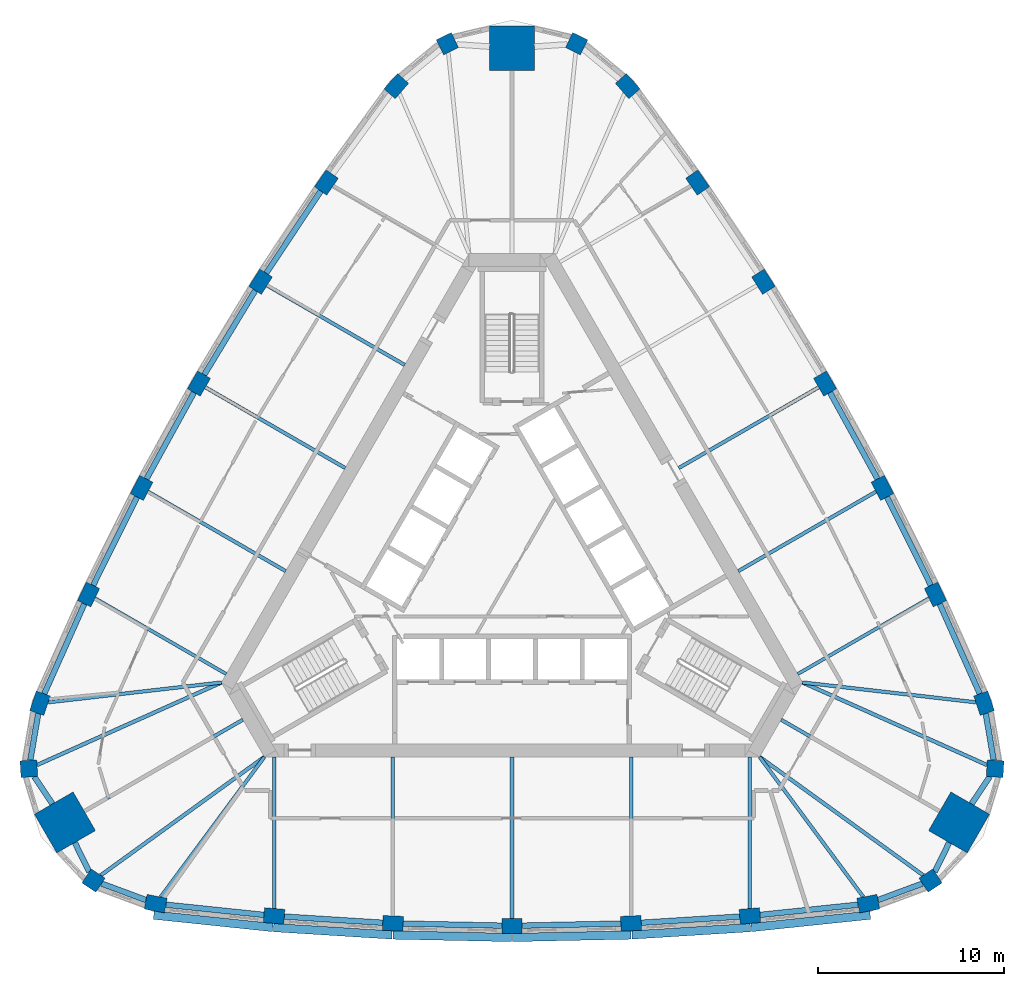
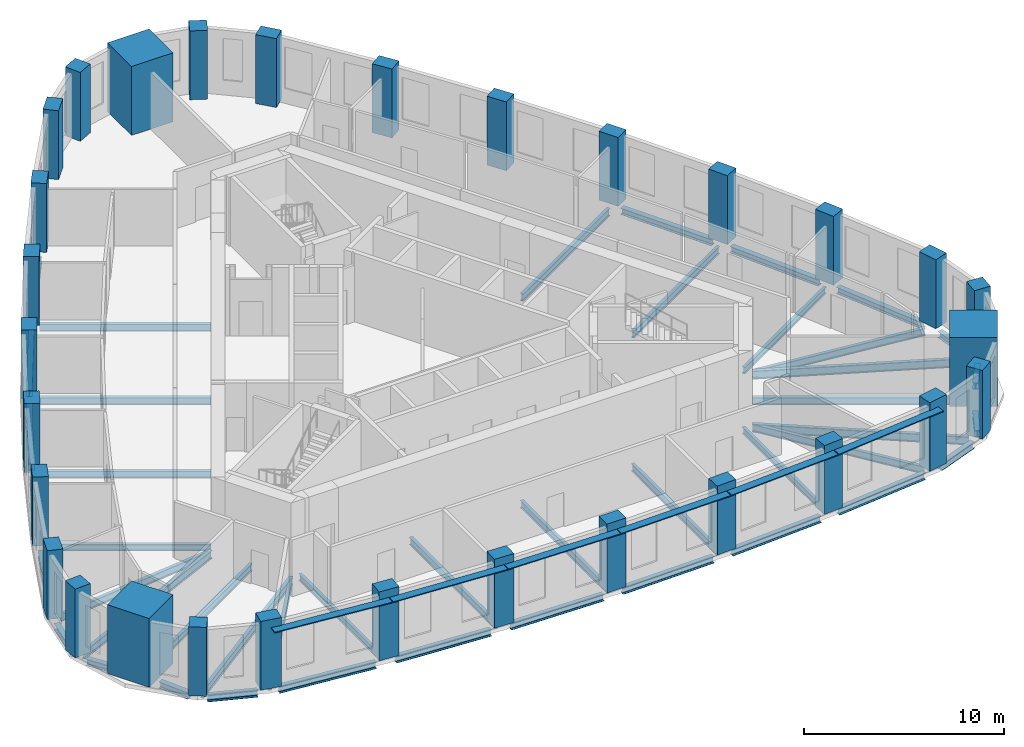
# One storey, part 1 of 11: 44 beams, 30 columns, 6 members.
"""IFC4 building model written with IfcOpenShell, lengths in metres."""

from ifc_helpers import new_model, si_unit, direction, frame, origin, origin_2d, place, context, subcontext, project, spatial, rectangle, i_section, extrude, material, material_profile, profile_set, type_object, element, save


model = new_model("IFC4")

# Units and contexts
model_context = context("Model", 3, precision=1e-05, world=origin(), true_north=direction((0.0, 1.0)))
body_context = subcontext(model_context, "Body", "Model", "MODEL_VIEW")
ifc_project = project(units=[si_unit("LENGTHUNIT", "METRE"), si_unit("AREAUNIT", "SQUARE_METRE"), si_unit("VOLUMEUNIT", "CUBIC_METRE"), si_unit("PLANEANGLEUNIT", "RADIAN"), si_unit("MASSUNIT", "GRAM", prefix="KILO")], contexts=[model_context])

# Site, building, storey
site_placement = place(None, origin())
site = spatial("IfcSite", under=ifc_project, at=site_placement, CompositionType="ELEMENT")
building_placement = place(site_placement, origin())
building = spatial("IfcBuilding", under=site, at=building_placement, Name="Mestral Congress Tower", CompositionType="ELEMENT")
storey_placement = place(building_placement, frame((0.0, 0.0, 205.800048828125)))
storey = spatial("IfcBuildingStorey", under=building, at=storey_placement, Name="L48", CompositionType="ELEMENT", Elevation=205.800048828125)

# Columns
ifc_material_1 = material(Name="Concrete C60/75", Category="concrete")
ifc_material_profile_1 = material_profile(ifc_material_1, rectangle(XDim=1.10009765625, YDim=0.800048828125, at=origin_2d()), Name="RC 1100x800")
ifc_profile_set_1 = profile_set([ifc_material_profile_1], Name="Concrete C60/75")
column_type_1 = type_object("IfcColumnType", Name="Column RC 1100x800 C60/75", PredefinedType="COLUMN", material=ifc_profile_set_1)
for number, where, z_axis, x_axis, name in (
    (1, (-19.150390625, -18.23681640625, 0.0), (0.0, 0.0, 1.0), (0.981324571854, -0.192359259395, 0.0), "COL-L48-C4-S00"),
    (2, (-12.785400390625, -18.899658203125, 0.0), (0.0, 0.0, 1.0), (0.996556680667, -0.082914306473, 0.0), "COL-L48-C4-S01"),
    (3, (-6.398193359375, -19.2978515625, 0.0), (0.0, 0.0, 1.0), (0.999138835542, -0.041492015025, 0.0), "COL-L48-C4-S02"),
    (4, (0.0, -19.4306640625, 0.0), (0.0, 0.0, 1.0), (1.0, 0.0, 0.0), "COL-L48-C4-S03"),
    (5, (6.398193359375, -19.2978515625, 0.0), (0.0, 0.0, 1.0), (0.999138835542, 0.041492015025, 0.0), "COL-L48-C4-S04"),
    (6, (12.785400390625, -18.899658203125, 0.0), (0.0, 0.0, 1.0), (0.996556680667, 0.082914306473, 0.0), "COL-L48-C4-S05"),
    (7, (19.150390625, -18.23681640625, 0.0), (0.0, 0.0, 1.0), (0.981324571854, 0.192359259395, 0.0), "COL-L48-C4-S06"),
    (8, (25.368896484375, -7.46630859375, 0.0), (0.0, 0.0, 1.0), (-0.324074280638, 0.946031638281, 0.0), "COL-L48-C4-E00"),
    (9, (22.76025390625, -1.62255859375, 0.0), (0.0, 0.0, 1.0), (-0.426472444591, 0.904500555005, 0.0), "COL-L48-C4-E01"),
    (10, (19.91162109375, 4.10791015625, 0.0), (0.0, 0.0, 1.0), (-0.463636278705, 0.886025621, 0.0), "COL-L48-C4-E02"),
    (11, (16.827392578125, 9.71533203125, 0.0), (0.0, 0.0, 1.0), (-0.5, 0.866025403784, 0.0), "COL-L48-C4-E03"),
    (12, (13.51318359375, 15.18994140625, 0.0), (0.0, 0.0, 1.0), (-0.535502556837, 0.844533605975, 0.0), "COL-L48-C4-E04"),
    (13, (9.974853515625, 20.522216796875, 0.0), (0.0, 0.0, 1.0), (-0.570084236076, 0.821586248532, 0.0), "COL-L48-C4-E05"),
    (14, (6.218505859375, 25.703125, 0.0), (0.0, 0.0, 1.0), (-0.657250291216, 0.753672378886, 0.0), "COL-L48-C4-E06"),
    (15, (-6.218505859375, 25.703125, 0.0), (0.0, 0.0, 1.0), (-0.657250291216, -0.753672378886, 0.0), "COL-L48-C4-W00"),
    (16, (-9.974853515625, 20.522216796875, 0.0), (0.0, 0.0, 1.0), (-0.570084236076, -0.821586248532, 0.0), "COL-L48-C4-W01"),
    (17, (-13.51318359375, 15.18994140625, 0.0), (0.0, 0.0, 1.0), (-0.535502556837, -0.844533605975, 0.0), "COL-L48-C4-W02"),
    (18, (-16.827392578125, 9.71533203125, 0.0), (0.0, 0.0, 1.0), (-0.5, -0.866025403784, 0.0), "COL-L48-C4-W03"),
    (19, (-19.91162109375, 4.10791015625, 0.0), (0.0, 0.0, 1.0), (-0.463636278705, -0.886025621, 0.0), "COL-L48-C4-W04"),
    (20, (-22.76025390625, -1.62255859375, 0.0), (0.0, 0.0, 1.0), (-0.426472444591, -0.904500555005, 0.0), "COL-L48-C4-W05"),
    (21, (-25.368896484375, -7.46630859375, 0.0), (0.0, 0.0, 1.0), (-0.324074280638, -0.946031638281, 0.0), "COL-L48-C4-W06"),
):
    element("IfcColumn", number, at=place(storey_placement, frame(where, z_axis=z_axis, x_axis=x_axis)), inside=storey, type_object=column_type_1, Name=name, PredefinedType="COLUMN", context=body_context, shape_type="SweptSolid", body=[
        extrude(rectangle(XDim=1.10009765625, YDim=0.800048828125, at=origin_2d()), origin(), (0.0, 0.0, 1.0), 4.199951171875),
    ])
ifc_material_profile_2 = material_profile(ifc_material_1, rectangle(XDim=0.89990234375, YDim=0.89990234375, at=origin_2d()), Name="RC 900x900")
ifc_profile_set_2 = profile_set([ifc_material_profile_2], Name="Concrete C60/75")
column_type_2 = type_object("IfcColumnType", Name="Column RC 900x900 C60/75", PredefinedType="COLUMN", material=ifc_profile_set_2)
for number, where, z_axis, x_axis, name in (
    (22, (22.494384765625, -16.99658203125, 0.0), (0.0, 0.0, 1.0), (0.833238868178, 0.552913183563, 0.0), "COL-L48-C4-SE1"),
    (23, (25.966552734375, -10.982421875, 0.0), (0.0, 0.0, 1.0), (0.062217428964, 0.998062619044, 0.0), "COL-L48-C4-SE3"),
    (24, (3.47216796875, 27.97900390625, 0.0), (0.0, 0.0, 1.0), (-0.895456297142, 0.445149435481, 0.0), "COL-L48-C4-N1"),
    (25, (-3.47216796875, 27.97900390625, 0.0), (0.0, 0.0, 1.0), (-0.895456297142, -0.445149435481, 0.0), "COL-L48-C4-N3"),
    (26, (-25.966552734375, -10.982421875, 0.0), (0.0, 0.0, 1.0), (0.062217428964, -0.998062619044, 0.0), "COL-L48-C4-SW1"),
    (27, (-22.494384765625, -16.99658203125, 0.0), (0.0, 0.0, 1.0), (0.833238868178, -0.552913183563, 0.0), "COL-L48-C4-SW3"),
):
    element("IfcColumn", number, at=place(storey_placement, frame(where, z_axis=z_axis, x_axis=x_axis)), inside=storey, type_object=column_type_2, Name=name, PredefinedType="COLUMN", context=body_context, shape_type="SweptSolid", body=[
        extrude(rectangle(XDim=0.89990234375, YDim=0.89990234375, at=origin_2d()), origin(), (0.0, 0.0, 1.0), 4.199951171875),
    ])
ifc_material_2 = material(Name="Concrete C70/85", Category="concrete")
ifc_material_profile_3 = material_profile(ifc_material_2, rectangle(XDim=2.39990234375, YDim=2.39990234375, at=origin_2d()), Name="RC 2400x2400")
ifc_profile_set_3 = profile_set([ifc_material_profile_3], Name="Concrete C70/85")
column_type_3 = type_object("IfcColumnType", Name="Mega column RC 2400x2400 C70/85", PredefinedType="COLUMN", material=ifc_profile_set_3)
for number, where, z_axis, x_axis, name in (
    (28, (24.02734375, -13.872314453125, 0.0), (0.0, 0.0, 1.0), (0.866025403784, -0.5, 0.0), "COL-L48-PY4-SE"),
    (29, (0.0, 27.744384765625, 0.0), (0.0, 0.0, 1.0), (0.0, 1.0, 0.0), "COL-L48-PY4-N"),
    (30, (-24.02734375, -13.872314453125, 0.0), (0.0, 0.0, 1.0), (-0.866025403784, -0.5, 0.0), "COL-L48-PY4-SW"),
):
    element("IfcColumn", number, at=place(storey_placement, frame(where, z_axis=z_axis, x_axis=x_axis)), inside=storey, type_object=column_type_3, Name=name, PredefinedType="COLUMN", context=body_context, shape_type="SweptSolid", body=[
        extrude(rectangle(XDim=2.39990234375, YDim=2.39990234375, at=origin_2d()), origin(), (0.0, 0.0, 1.0), 4.199951171875),
    ])

# Members
ifc_material_3 = material(Name="Glazed ceramic", Category="masonry")
ifc_material_profile_4 = material_profile(ifc_material_3, rectangle(XDim=0.449951171875, YDim=0.06005859375, at=origin_2d()), Name="Ceramic blade 450 x 60")
ifc_profile_set_4 = profile_set([ifc_material_profile_4], Name="Glazed ceramic")
member_type = type_object("IfcMemberType", Name="Facade sunshade blade 450 x 60", PredefinedType="USERDEFINED", material=ifc_profile_set_4)
member_1_placement = place(storey_placement, frame((-19.251708984375, -18.8544921875, 3.679931640625), z_axis=(0.994617919471, -0.103610782581, 0.0), x_axis=(0.103610782581, 0.994617919471, 0.0)))
element("IfcMember", 31, at=member_1_placement, inside=storey, type_object=member_type, Name="Sunshade F0-00", ObjectType="SUNSHADE", PredefinedType="USERDEFINED", context=body_context, shape_type="SweptSolid", body=[
    extrude(rectangle(XDim=0.449951171875, YDim=0.06005859375, at=origin_2d()), origin(), (0.0, 0.0, 1.0), 6.42578125),
])
member_2_placement = place(storey_placement, frame((-12.8134765625, -19.524169921875, 3.679931640625), z_axis=(0.99806373271, -0.062199561482, 0.0), x_axis=(0.062199561482, 0.99806373271, 0.0)))
element("IfcMember", 32, at=member_2_placement, inside=storey, type_object=member_type, Name="Sunshade F0-01", ObjectType="SUNSHADE", PredefinedType="USERDEFINED", context=body_context, shape_type="SweptSolid", body=[
    extrude(rectangle(XDim=0.449951171875, YDim=0.06005859375, at=origin_2d()), origin(), (0.0, 0.0, 1.0), 6.37841796875),
])
for number, where, z_axis, x_axis, name in (
    (33, (-6.400390625, -19.9228515625, 3.679931640625), (0.99978476383, -0.0207467109, 0.0), (0.0207467109, 0.99978476383, 0.0), "Sunshade F0-02"),
    (34, (0.023681640625, -20.05517578125, 3.679931640625), (0.99978476383, 0.0207467109, 0.0), (-0.0207467109, 0.99978476383, 0.0), "Sunshade F0-03"),
):
    element("IfcMember", number, at=place(storey_placement, frame(where, z_axis=z_axis, x_axis=x_axis)), inside=storey, type_object=member_type, Name=name, ObjectType="SUNSHADE", PredefinedType="USERDEFINED", context=body_context, shape_type="SweptSolid", body=[
        extrude(rectangle(XDim=0.449951171875, YDim=0.06005859375, at=origin_2d()), origin(), (0.0, 0.0, 1.0), 6.378173828125),
    ])
member_3_placement = place(storey_placement, frame((6.447509765625, -19.9208984375, 3.679931640625), z_axis=(0.99806373271, 0.062199561482, 0.0), x_axis=(-0.062199561482, 0.99806373271, 0.0)))
element("IfcMember", 35, at=member_3_placement, inside=storey, type_object=member_type, Name="Sunshade F0-04", ObjectType="SUNSHADE", PredefinedType="USERDEFINED", context=body_context, shape_type="SweptSolid", body=[
    extrude(rectangle(XDim=0.449951171875, YDim=0.06005859375, at=origin_2d()), origin(), (0.0, 0.0, 1.0), 6.37841796875),
])
member_4_placement = place(storey_placement, frame((12.860595703125, -19.520263671875, 3.679931640625), z_axis=(0.994617919471, 0.103610782581, 0.0), x_axis=(-0.103610782581, 0.994617919471, 0.0)))
element("IfcMember", 36, at=member_4_placement, inside=storey, type_object=member_type, Name="Sunshade F0-05", ObjectType="SUNSHADE", PredefinedType="USERDEFINED", context=body_context, shape_type="SweptSolid", body=[
    extrude(rectangle(XDim=0.449951171875, YDim=0.06005859375, at=origin_2d()), origin(), (0.0, 0.0, 1.0), 6.42578125),
])

# Beams
ifc_material_4 = material(Name="Steel S355", Category="steel")
ifc_material_profile_5 = material_profile(ifc_material_4, i_section(OverallWidth=0.179931640625, OverallDepth=0.39990234375, WebThickness=0.008544921875, FlangeThickness=0.013427734375, FilletRadius=0.02099609375, at=origin_2d()), Name="IPE 400")
ifc_profile_set_5 = profile_set([ifc_material_profile_5], Name="Steel S355")
beam_type_1 = type_object("IfcBeamType", Name="Floor beam IPE 400 S355", PredefinedType="BEAM", material=ifc_profile_set_5)
for number, where, z_axis, x_axis, name in (
    (37, (-12.785400390625, -18.498291015625, -0.449951171875), (0.0, 1.0, 0.0), (-1.0, 0.0, 0.0), "BM-L48-RB4-S01"),
    (38, (12.785400390625, -18.498291015625, -0.449951171875), (0.0, 1.0, 0.0), (-1.0, 0.0, 0.0), "BM-L48-RB4-S05"),
):
    element("IfcBeam", number, at=place(storey_placement, frame(where, z_axis=z_axis, x_axis=x_axis)), inside=storey, type_object=beam_type_1, Name=name, PredefinedType="BEAM", context=body_context, shape_type="SweptSolid", body=[
        extrude(i_section(OverallWidth=0.179931640625, OverallDepth=0.39990234375, WebThickness=0.008544921875, FlangeThickness=0.013427734375, FilletRadius=0.02099609375, at=origin_2d()), origin(), (0.0, 0.0, 1.0), 8.148193359375),
    ])
for number, where, z_axis, x_axis, name in (
    (39, (22.41259765625, -1.8232421875, -0.449951171875), (-0.866021929094, -0.500006018292, 0.0), (0.500006018292, -0.866021929094, 0.0), "BM-L48-RB4-E01"),
    (40, (-22.41259765625, -1.8232421875, -0.449951171875), (0.866021929094, -0.500006018292, 0.0), (0.500006018292, 0.866021929094, 0.0), "BM-L48-RB4-W05"),
):
    element("IfcBeam", number, at=place(storey_placement, frame(where, z_axis=z_axis, x_axis=x_axis)), inside=storey, type_object=beam_type_1, Name=name, PredefinedType="BEAM", context=body_context, shape_type="SweptSolid", body=[
        extrude(i_section(OverallWidth=0.179931640625, OverallDepth=0.39990234375, WebThickness=0.008544921875, FlangeThickness=0.013427734375, FilletRadius=0.02099609375, at=origin_2d()), origin(), (0.0, 0.0, 1.0), 8.1484375),
    ])
ifc_material_profile_6 = material_profile(ifc_material_4, i_section(OverallWidth=0.18994140625, OverallDepth=0.449951171875, WebThickness=0.009521484375, FlangeThickness=0.0146484375, FilletRadius=0.02099609375, at=origin_2d()), Name="IPE 450")
ifc_profile_set_6 = profile_set([ifc_material_profile_6], Name="Steel S355")
beam_type_2 = type_object("IfcBeamType", Name="Floor beam IPE 450 S355", PredefinedType="BEAM", material=ifc_profile_set_6)
beam_1_placement = place(storey_placement, frame((-18.88671875, -17.880859375, -0.47509765625), z_axis=(0.595263059859, 0.803530888994, 0.0), x_axis=(-0.803530888994, 0.595263059859, 0.0)))
element("IfcBeam", 41, at=beam_1_placement, inside=storey, type_object=beam_type_2, Name="BM-L48-RB4-S00", PredefinedType="BEAM", context=body_context, shape_type="SweptSolid", body=[
    extrude(i_section(OverallWidth=0.18994140625, OverallDepth=0.449951171875, WebThickness=0.009521484375, FlangeThickness=0.0146484375, FilletRadius=0.02099609375, at=origin_2d()), origin(), (0.0, 0.0, 1.0), 9.3720703125),
])
beam_2_placement = place(storey_placement, frame((-6.398193359375, -18.8974609375, -0.47509765625), z_axis=(0.0, 1.0, 0.0), x_axis=(-1.0, 0.0, 0.0)))
element("IfcBeam", 42, at=beam_2_placement, inside=storey, type_object=beam_type_2, Name="BM-L48-RB4-S02", PredefinedType="BEAM", context=body_context, shape_type="SweptSolid", body=[
    extrude(i_section(OverallWidth=0.18994140625, OverallDepth=0.449951171875, WebThickness=0.009521484375, FlangeThickness=0.0146484375, FilletRadius=0.02099609375, at=origin_2d()), origin(), (0.0, 0.0, 1.0), 8.54736328125),
])
beam_3_placement = place(storey_placement, frame((0.0, -19.030517578125, -0.47509765625), z_axis=(0.0, 1.0, 0.0), x_axis=(-1.0, 0.0, 0.0)))
element("IfcBeam", 43, at=beam_3_placement, inside=storey, type_object=beam_type_2, Name="BM-L48-RB4-S03", PredefinedType="BEAM", context=body_context, shape_type="SweptSolid", body=[
    extrude(i_section(OverallWidth=0.18994140625, OverallDepth=0.449951171875, WebThickness=0.009521484375, FlangeThickness=0.0146484375, FilletRadius=0.02099609375, at=origin_2d()), origin(), (0.0, 0.0, 1.0), 8.680419921875),
])
beam_4_placement = place(storey_placement, frame((6.398193359375, -18.8974609375, -0.47509765625), z_axis=(0.0, 1.0, 0.0), x_axis=(-1.0, 0.0, 0.0)))
element("IfcBeam", 44, at=beam_4_placement, inside=storey, type_object=beam_type_2, Name="BM-L48-RB4-S04", PredefinedType="BEAM", context=body_context, shape_type="SweptSolid", body=[
    extrude(i_section(OverallWidth=0.18994140625, OverallDepth=0.449951171875, WebThickness=0.009521484375, FlangeThickness=0.0146484375, FilletRadius=0.02099609375, at=origin_2d()), origin(), (0.0, 0.0, 1.0), 8.54736328125),
])
beam_5_placement = place(storey_placement, frame((18.88671875, -17.880859375, -0.47509765625), z_axis=(-0.595263059859, 0.803530888994, 0.0), x_axis=(-0.803530888994, -0.595263059859, 0.0)))
element("IfcBeam", 45, at=beam_5_placement, inside=storey, type_object=beam_type_2, Name="BM-L48-RB4-S06", PredefinedType="BEAM", context=body_context, shape_type="SweptSolid", body=[
    extrude(i_section(OverallWidth=0.18994140625, OverallDepth=0.449951171875, WebThickness=0.009521484375, FlangeThickness=0.0146484375, FilletRadius=0.02099609375, at=origin_2d()), origin(), (0.0, 0.0, 1.0), 9.3720703125),
])
beam_6_placement = place(storey_placement, frame((22.98828125, -13.272216796875, -0.47509765625), z_axis=(-0.866021631874, 0.500006533084, 0.0), x_axis=(-0.500006533084, -0.866021631874, 0.0)))
element("IfcBeam", 46, at=beam_6_placement, inside=storey, type_object=beam_type_2, Name="BM-L48-RB4-SE", PredefinedType="BEAM", context=body_context, shape_type="SweptSolid", body=[
    extrude(i_section(OverallWidth=0.18994140625, OverallDepth=0.449951171875, WebThickness=0.009521484375, FlangeThickness=0.0146484375, FilletRadius=0.02099609375, at=origin_2d()), origin(), (0.0, 0.0, 1.0), 9.844482421875),
])
beam_7_placement = place(storey_placement, frame((24.9287109375, -7.416015625, -0.47509765625), z_axis=(-0.99351166529, 0.11373025513, 0.0), x_axis=(-0.11373025513, -0.99351166529, 0.0)))
element("IfcBeam", 47, at=beam_7_placement, inside=storey, type_object=beam_type_2, Name="BM-L48-RB4-E00", PredefinedType="BEAM", context=body_context, shape_type="SweptSolid", body=[
    extrude(i_section(OverallWidth=0.18994140625, OverallDepth=0.449951171875, WebThickness=0.009521484375, FlangeThickness=0.0146484375, FilletRadius=0.02099609375, at=origin_2d()), origin(), (0.0, 0.0, 1.0), 9.372314453125),
])
beam_8_placement = place(storey_placement, frame((19.564697265625, 3.90771484375, -0.47509765625), z_axis=(-0.866028621479, -0.499994426748, 0.0), x_axis=(0.499994426748, -0.866028621479, 0.0)))
element("IfcBeam", 48, at=beam_8_placement, inside=storey, type_object=beam_type_2, Name="BM-L48-RB4-E02", PredefinedType="BEAM", context=body_context, shape_type="SweptSolid", body=[
    extrude(i_section(OverallWidth=0.18994140625, OverallDepth=0.449951171875, WebThickness=0.009521484375, FlangeThickness=0.0146484375, FilletRadius=0.02099609375, at=origin_2d()), origin(), (0.0, 0.0, 1.0), 8.54736328125),
])
beam_9_placement = place(storey_placement, frame((16.48095703125, 9.515380859375, -0.47509765625), z_axis=(-0.866022596503, -0.500004862322, 0.0), x_axis=(0.500004862322, -0.866022596503, 0.0)))
element("IfcBeam", 49, at=beam_9_placement, inside=storey, type_object=beam_type_2, Name="BM-L48-RB4-E03", PredefinedType="BEAM", context=body_context, shape_type="SweptSolid", body=[
    extrude(i_section(OverallWidth=0.18994140625, OverallDepth=0.449951171875, WebThickness=0.009521484375, FlangeThickness=0.0146484375, FilletRadius=0.02099609375, at=origin_2d()), origin(), (0.0, 0.0, 1.0), 8.6806640625),
])
beam_10_placement = place(storey_placement, frame((-13.16650390625, 14.98974609375, -0.47509765625), z_axis=(0.866028621479, -0.499994426748, 0.0), x_axis=(0.499994426748, 0.866028621479, 0.0)))
element("IfcBeam", 50, at=beam_10_placement, inside=storey, type_object=beam_type_2, Name="BM-L48-RB4-W02", PredefinedType="BEAM", context=body_context, shape_type="SweptSolid", body=[
    extrude(i_section(OverallWidth=0.18994140625, OverallDepth=0.449951171875, WebThickness=0.009521484375, FlangeThickness=0.0146484375, FilletRadius=0.02099609375, at=origin_2d()), origin(), (0.0, 0.0, 1.0), 8.54736328125),
])
beam_11_placement = place(storey_placement, frame((-16.48095703125, 9.515380859375, -0.47509765625), z_axis=(0.866022596503, -0.500004862322, 0.0), x_axis=(0.500004862322, 0.866022596503, 0.0)))
element("IfcBeam", 51, at=beam_11_placement, inside=storey, type_object=beam_type_2, Name="BM-L48-RB4-W03", PredefinedType="BEAM", context=body_context, shape_type="SweptSolid", body=[
    extrude(i_section(OverallWidth=0.18994140625, OverallDepth=0.449951171875, WebThickness=0.009521484375, FlangeThickness=0.0146484375, FilletRadius=0.02099609375, at=origin_2d()), origin(), (0.0, 0.0, 1.0), 8.6806640625),
])
beam_12_placement = place(storey_placement, frame((-19.564697265625, 3.90771484375, -0.47509765625), z_axis=(0.866028621479, -0.499994426748, 0.0), x_axis=(0.499994426748, 0.866028621479, 0.0)))
element("IfcBeam", 52, at=beam_12_placement, inside=storey, type_object=beam_type_2, Name="BM-L48-RB4-W04", PredefinedType="BEAM", context=body_context, shape_type="SweptSolid", body=[
    extrude(i_section(OverallWidth=0.18994140625, OverallDepth=0.449951171875, WebThickness=0.009521484375, FlangeThickness=0.0146484375, FilletRadius=0.02099609375, at=origin_2d()), origin(), (0.0, 0.0, 1.0), 8.54736328125),
])
beam_13_placement = place(storey_placement, frame((-24.9287109375, -7.416015625, -0.47509765625), z_axis=(0.99351166529, 0.11373025513, 0.0), x_axis=(-0.11373025513, 0.99351166529, 0.0)))
element("IfcBeam", 53, at=beam_13_placement, inside=storey, type_object=beam_type_2, Name="BM-L48-RB4-W06", PredefinedType="BEAM", context=body_context, shape_type="SweptSolid", body=[
    extrude(i_section(OverallWidth=0.18994140625, OverallDepth=0.449951171875, WebThickness=0.009521484375, FlangeThickness=0.0146484375, FilletRadius=0.02099609375, at=origin_2d()), origin(), (0.0, 0.0, 1.0), 9.372314453125),
])
beam_14_placement = place(storey_placement, frame((-22.98828125, -13.272216796875, -0.47509765625), z_axis=(0.866021631874, 0.500006533084, 0.0), x_axis=(-0.500006533084, 0.866021631874, 0.0)))
element("IfcBeam", 54, at=beam_14_placement, inside=storey, type_object=beam_type_2, Name="BM-L48-RB4-SW", PredefinedType="BEAM", context=body_context, shape_type="SweptSolid", body=[
    extrude(i_section(OverallWidth=0.18994140625, OverallDepth=0.449951171875, WebThickness=0.009521484375, FlangeThickness=0.0146484375, FilletRadius=0.02099609375, at=origin_2d()), origin(), (0.0, 0.0, 1.0), 9.844482421875),
])
ifc_material_profile_7 = material_profile(ifc_material_4, i_section(OverallWidth=0.199951171875, OverallDepth=0.5, WebThickness=0.01025390625, FlangeThickness=0.01611328125, FilletRadius=0.02099609375, at=origin_2d()), Name="IPE 500")
ifc_profile_set_7 = profile_set([ifc_material_profile_7], Name="Steel S355")
beam_type_3 = type_object("IfcBeamType", Name="Floor beam IPE 500 S355", PredefinedType="BEAM", material=ifc_profile_set_7)
beam_15_placement = place(storey_placement, frame((22.10498046875, -16.71484375, -0.5), z_axis=(-0.810186242112, 0.586172545496, 0.0), x_axis=(-0.586172545496, -0.810186242112, 0.0)))
element("IfcBeam", 55, at=beam_15_placement, inside=storey, type_object=beam_type_3, Name="BM-L48-RB4-SE1", PredefinedType="BEAM", context=body_context, shape_type="SweptSolid", body=[
    extrude(i_section(OverallWidth=0.199951171875, OverallDepth=0.5, WebThickness=0.01025390625, FlangeThickness=0.01611328125, FilletRadius=0.02099609375, at=origin_2d()), origin(), (0.0, 0.0, 1.0), 10.858154296875),
])
for number, where, z_axis, x_axis, name in (
    (56, (25.528076171875, -10.7861328125, -0.5), (-0.912742142995, 0.408536143323, 0.0), (-0.408536143323, -0.912742142995, 0.0), "BM-L48-RB4-SE3"),
    (57, (-25.528076171875, -10.7861328125, -0.5), (0.912742142995, 0.408536143323, 0.0), (-0.408536143323, 0.912742142995, 0.0), "BM-L48-RB4-SW1"),
):
    element("IfcBeam", number, at=place(storey_placement, frame(where, z_axis=z_axis, x_axis=x_axis)), inside=storey, type_object=beam_type_3, Name=name, PredefinedType="BEAM", context=body_context, shape_type="SweptSolid", body=[
        extrude(i_section(OverallWidth=0.199951171875, OverallDepth=0.5, WebThickness=0.01025390625, FlangeThickness=0.01611328125, FilletRadius=0.02099609375, at=origin_2d()), origin(), (0.0, 0.0, 1.0), 10.8583984375),
    ])
beam_16_placement = place(storey_placement, frame((-22.10498046875, -16.71484375, -0.5), z_axis=(0.810186242112, 0.586172545496, 0.0), x_axis=(-0.586172545496, 0.810186242112, 0.0)))
element("IfcBeam", 58, at=beam_16_placement, inside=storey, type_object=beam_type_3, Name="BM-L48-RB4-SW3", PredefinedType="BEAM", context=body_context, shape_type="SweptSolid", body=[
    extrude(i_section(OverallWidth=0.199951171875, OverallDepth=0.5, WebThickness=0.01025390625, FlangeThickness=0.01611328125, FilletRadius=0.02099609375, at=origin_2d()), origin(), (0.0, 0.0, 1.0), 10.858154296875),
])
ifc_material_profile_8 = material_profile(ifc_material_4, i_section(OverallWidth=0.300048828125, OverallDepth=0.389892578125, WebThickness=0.010986328125, FlangeThickness=0.01904296875, FilletRadius=0.027099609375, at=origin_2d()), Name="HEA 400")
ifc_profile_set_8 = profile_set([ifc_material_profile_8], Name="Steel S355")
beam_type_4 = type_object("IfcBeamType", Name="Spandrel beam HEA 400 S355", PredefinedType="BEAM", material=ifc_profile_set_8)
beam_17_placement = place(storey_placement, frame((-18.60107421875, -18.2939453125, -0.445068359375), z_axis=(0.994618013093, -0.103609883848, 0.0), x_axis=(0.103609883848, 0.994618013093, 0.0)))
element("IfcBeam", 59, at=beam_17_placement, inside=storey, type_object=beam_type_4, Name="SP-L48-SB4-S00", PredefinedType="BEAM", context=body_context, shape_type="SweptSolid", body=[
    extrude(i_section(OverallWidth=0.300048828125, OverallDepth=0.389892578125, WebThickness=0.010986328125, FlangeThickness=0.01904296875, FilletRadius=0.027099609375, at=origin_2d()), origin(), (0.0, 0.0, 1.0), 5.297119140625),
])
for number, where, z_axis, x_axis, name in (
    (60, (-12.236328125, -18.933837890625, -0.445068359375), (0.998061173507, -0.062240613248, 0.0), (0.062240613248, 0.998061173507, 0.0), "SP-L48-SB4-S01"),
    (61, (-5.84814453125, -19.309326171875, -0.445068359375), (0.999785070758, -0.020731914743, 0.0), (0.020731914743, 0.999785070758, 0.0), "SP-L48-SB4-S02"),
    (62, (0.550048828125, -19.419189453125, -0.445068359375), (0.999785070758, 0.020731914743, 0.0), (-0.020731914743, 0.999785070758, 0.0), "SP-L48-SB4-S03"),
    (63, (6.947265625, -19.263671875, -0.445068359375), (0.998061173507, 0.062240613248, 0.0), (-0.062240613248, 0.998061173507, 0.0), "SP-L48-SB4-S04"),
):
    element("IfcBeam", number, at=place(storey_placement, frame(where, z_axis=z_axis, x_axis=x_axis)), inside=storey, type_object=beam_type_4, Name=name, PredefinedType="BEAM", context=body_context, shape_type="SweptSolid", body=[
        extrude(i_section(OverallWidth=0.300048828125, OverallDepth=0.389892578125, WebThickness=0.010986328125, FlangeThickness=0.01904296875, FilletRadius=0.027099609375, at=origin_2d()), origin(), (0.0, 0.0, 1.0), 5.29931640625),
    ])
beam_18_placement = place(storey_placement, frame((13.33251953125, -18.8427734375, -0.445068359375), z_axis=(0.994618013093, 0.103609883848, 0.0), x_axis=(-0.103609883848, 0.994618013093, 0.0)))
element("IfcBeam", 64, at=beam_18_placement, inside=storey, type_object=beam_type_4, Name="SP-L48-SB4-S05", PredefinedType="BEAM", context=body_context, shape_type="SweptSolid", body=[
    extrude(i_section(OverallWidth=0.300048828125, OverallDepth=0.389892578125, WebThickness=0.010986328125, FlangeThickness=0.01904296875, FilletRadius=0.027099609375, at=origin_2d()), origin(), (0.0, 0.0, 1.0), 5.297119140625),
])
beam_19_placement = place(storey_placement, frame((19.6728515625, -18.04296875, -0.445068359375), z_axis=(0.937591421971, 0.347738875374, 0.0), x_axis=(-0.347738875374, 0.937591421971, 0.0)))
element("IfcBeam", 65, at=beam_19_placement, inside=storey, type_object=beam_type_4, Name="SP-L48-SB4-S06", PredefinedType="BEAM", context=body_context, shape_type="SweptSolid", body=[
    extrude(i_section(OverallWidth=0.300048828125, OverallDepth=0.389892578125, WebThickness=0.010986328125, FlangeThickness=0.01904296875, FilletRadius=0.027099609375, at=origin_2d()), origin(), (0.0, 0.0, 1.0), 2.547119140625),
])
for number, where, z_axis, x_axis, name in (
    (66, (22.723876953125, -16.528564453125, -0.445068359375), (0.440528581483, 0.897738586058, 0.0), (-0.897738586058, 0.440528581483, 0.0), "SP-L48-SB4-SE1"),
    (67, (24.697509765625, -12.87353515625, -0.445068359375), (0.557295931564, 0.830313943435, 0.0), (-0.830313943435, 0.557295931564, 0.0), "SP-L48-SB4-SE"),
):
    element("IfcBeam", number, at=place(storey_placement, frame(where, z_axis=z_axis, x_axis=x_axis)), inside=storey, type_object=beam_type_4, Name=name, PredefinedType="BEAM", context=body_context, shape_type="SweptSolid", body=[
        extrude(i_section(OverallWidth=0.300048828125, OverallDepth=0.389892578125, WebThickness=0.010986328125, FlangeThickness=0.01904296875, FilletRadius=0.027099609375, at=origin_2d()), origin(), (0.0, 0.0, 1.0), 1.75634765625),
    ])
beam_20_placement = place(storey_placement, frame((25.88916015625, -10.52685546875, -0.445068359375), z_axis=(-0.167630891496, 0.98584982843, 0.0), x_axis=(-0.98584982843, -0.167630891496, 0.0)))
element("IfcBeam", 68, at=beam_20_placement, inside=storey, type_object=beam_type_4, Name="SP-L48-SB4-SE3", PredefinedType="BEAM", context=body_context, shape_type="SweptSolid", body=[
    extrude(i_section(OverallWidth=0.300048828125, OverallDepth=0.389892578125, WebThickness=0.010986328125, FlangeThickness=0.01904296875, FilletRadius=0.027099609375, at=origin_2d()), origin(), (0.0, 0.0, 1.0), 2.54736328125),
])
beam_21_placement = place(storey_placement, frame((25.143798828125, -6.9619140625, -0.445068359375), z_axis=(-0.407626134336, 0.913148911518, 0.0), x_axis=(-0.913148911518, -0.407626134336, 0.0)))
element("IfcBeam", 69, at=beam_21_placement, inside=storey, type_object=beam_type_4, Name="SP-L48-SB4-E00", PredefinedType="BEAM", context=body_context, shape_type="SweptSolid", body=[
    extrude(i_section(OverallWidth=0.300048828125, OverallDepth=0.389892578125, WebThickness=0.010986328125, FlangeThickness=0.01904296875, FilletRadius=0.027099609375, at=origin_2d()), origin(), (0.0, 0.0, 1.0), 5.296875),
])
beam_22_placement = place(storey_placement, frame((22.515380859375, -1.1298828125, -0.445068359375), z_axis=(-0.445148375831, 0.895456823914, 0.0), x_axis=(-0.895456823914, -0.445148375831, 0.0)))
element("IfcBeam", 70, at=beam_22_placement, inside=storey, type_object=beam_type_4, Name="SP-L48-SB4-E01", PredefinedType="BEAM", context=body_context, shape_type="SweptSolid", body=[
    extrude(i_section(OverallWidth=0.300048828125, OverallDepth=0.389892578125, WebThickness=0.010986328125, FlangeThickness=0.01904296875, FilletRadius=0.027099609375, at=origin_2d()), origin(), (0.0, 0.0, 1.0), 5.299072265625),
])
beam_23_placement = place(storey_placement, frame((19.646484375, 4.58984375, -0.445068359375), z_axis=(-0.481918749772, 0.876215908677, 0.0), x_axis=(-0.876215908677, -0.481918749772, 0.0)))
element("IfcBeam", 71, at=beam_23_placement, inside=storey, type_object=beam_type_4, Name="SP-L48-SB4-E02", PredefinedType="BEAM", context=body_context, shape_type="SweptSolid", body=[
    extrude(i_section(OverallWidth=0.300048828125, OverallDepth=0.389892578125, WebThickness=0.010986328125, FlangeThickness=0.01904296875, FilletRadius=0.027099609375, at=origin_2d()), origin(), (0.0, 0.0, 1.0), 5.299560546875),
])
for number, where, z_axis, x_axis, name in (
    (72, (-10.279052734375, 20.063720703125, -0.445068359375), (-0.552934106774, -0.833224983762, 0.0), (0.833224983762, -0.552934106774, 0.0), "SP-L48-SB4-W01"),
    (73, (-13.798095703125, 14.71923828125, -0.445068359375), (-0.517865676042, -0.855461946306, 0.0), (0.855461946306, -0.517865676042, 0.0), "SP-L48-SB4-W02"),
):
    element("IfcBeam", number, at=place(storey_placement, frame(where, z_axis=z_axis, x_axis=x_axis)), inside=storey, type_object=beam_type_4, Name=name, PredefinedType="BEAM", context=body_context, shape_type="SweptSolid", body=[
        extrude(i_section(OverallWidth=0.300048828125, OverallDepth=0.389892578125, WebThickness=0.010986328125, FlangeThickness=0.01904296875, FilletRadius=0.027099609375, at=origin_2d()), origin(), (0.0, 0.0, 1.0), 5.29931640625),
    ])
beam_24_placement = place(storey_placement, frame((-17.092529296875, 9.2333984375, -0.445068359375), z_axis=(-0.481918749772, -0.876215908677, 0.0), x_axis=(0.876215908677, -0.481918749772, 0.0)))
element("IfcBeam", 74, at=beam_24_placement, inside=storey, type_object=beam_type_4, Name="SP-L48-SB4-W03", PredefinedType="BEAM", context=body_context, shape_type="SweptSolid", body=[
    extrude(i_section(OverallWidth=0.300048828125, OverallDepth=0.389892578125, WebThickness=0.010986328125, FlangeThickness=0.01904296875, FilletRadius=0.027099609375, at=origin_2d()), origin(), (0.0, 0.0, 1.0), 5.299560546875),
])
beam_25_placement = place(storey_placement, frame((-20.156494140625, 3.615234375, -0.445068359375), z_axis=(-0.445148375831, -0.895456823914, 0.0), x_axis=(0.895456823914, -0.445148375831, 0.0)))
element("IfcBeam", 75, at=beam_25_placement, inside=storey, type_object=beam_type_4, Name="SP-L48-SB4-W04", PredefinedType="BEAM", context=body_context, shape_type="SweptSolid", body=[
    extrude(i_section(OverallWidth=0.300048828125, OverallDepth=0.389892578125, WebThickness=0.010986328125, FlangeThickness=0.01904296875, FilletRadius=0.027099609375, at=origin_2d()), origin(), (0.0, 0.0, 1.0), 5.299072265625),
])
beam_26_placement = place(storey_placement, frame((-22.984619140625, -2.125, -0.445068359375), z_axis=(-0.407626134336, -0.913148911518, 0.0), x_axis=(0.913148911518, -0.407626134336, 0.0)))
element("IfcBeam", 76, at=beam_26_placement, inside=storey, type_object=beam_type_4, Name="SP-L48-SB4-W05", PredefinedType="BEAM", context=body_context, shape_type="SweptSolid", body=[
    extrude(i_section(OverallWidth=0.300048828125, OverallDepth=0.389892578125, WebThickness=0.010986328125, FlangeThickness=0.01904296875, FilletRadius=0.027099609375, at=origin_2d()), origin(), (0.0, 0.0, 1.0), 5.296875),
])
beam_27_placement = place(storey_placement, frame((-25.462158203125, -8.015625, -0.445068359375), z_axis=(-0.167630891496, -0.98584982843, 0.0), x_axis=(0.98584982843, -0.167630891496, 0.0)))
element("IfcBeam", 77, at=beam_27_placement, inside=storey, type_object=beam_type_4, Name="SP-L48-SB4-W06", PredefinedType="BEAM", context=body_context, shape_type="SweptSolid", body=[
    extrude(i_section(OverallWidth=0.300048828125, OverallDepth=0.389892578125, WebThickness=0.010986328125, FlangeThickness=0.01904296875, FilletRadius=0.027099609375, at=origin_2d()), origin(), (0.0, 0.0, 1.0), 2.54736328125),
])
for number, where, z_axis, x_axis, name in (
    (78, (-25.67626953125, -11.415283203125, -0.445068359375), (0.557295931564, -0.830313943435, 0.0), (0.830313943435, 0.557295931564, 0.0), "SP-L48-SB4-SW1"),
    (79, (-23.49755859375, -14.951904296875, -0.445068359375), (0.440528581483, -0.897738586058, 0.0), (0.897738586058, 0.440528581483, 0.0), "SP-L48-SB4-SW"),
):
    element("IfcBeam", number, at=place(storey_placement, frame(where, z_axis=z_axis, x_axis=x_axis)), inside=storey, type_object=beam_type_4, Name=name, PredefinedType="BEAM", context=body_context, shape_type="SweptSolid", body=[
        extrude(i_section(OverallWidth=0.300048828125, OverallDepth=0.389892578125, WebThickness=0.010986328125, FlangeThickness=0.01904296875, FilletRadius=0.027099609375, at=origin_2d()), origin(), (0.0, 0.0, 1.0), 1.75634765625),
    ])
beam_28_placement = place(storey_placement, frame((-22.06103515625, -17.1572265625, -0.445068359375), z_axis=(0.937591421971, -0.347738875374, 0.0), x_axis=(0.347738875374, 0.937591421971, 0.0)))
element("IfcBeam", 80, at=beam_28_placement, inside=storey, type_object=beam_type_4, Name="SP-L48-SB4-SW3", PredefinedType="BEAM", context=body_context, shape_type="SweptSolid", body=[
    extrude(i_section(OverallWidth=0.300048828125, OverallDepth=0.389892578125, WebThickness=0.010986328125, FlangeThickness=0.01904296875, FilletRadius=0.027099609375, at=origin_2d()), origin(), (0.0, 0.0, 1.0), 2.547119140625),
])

save(model, "model.ifc")
